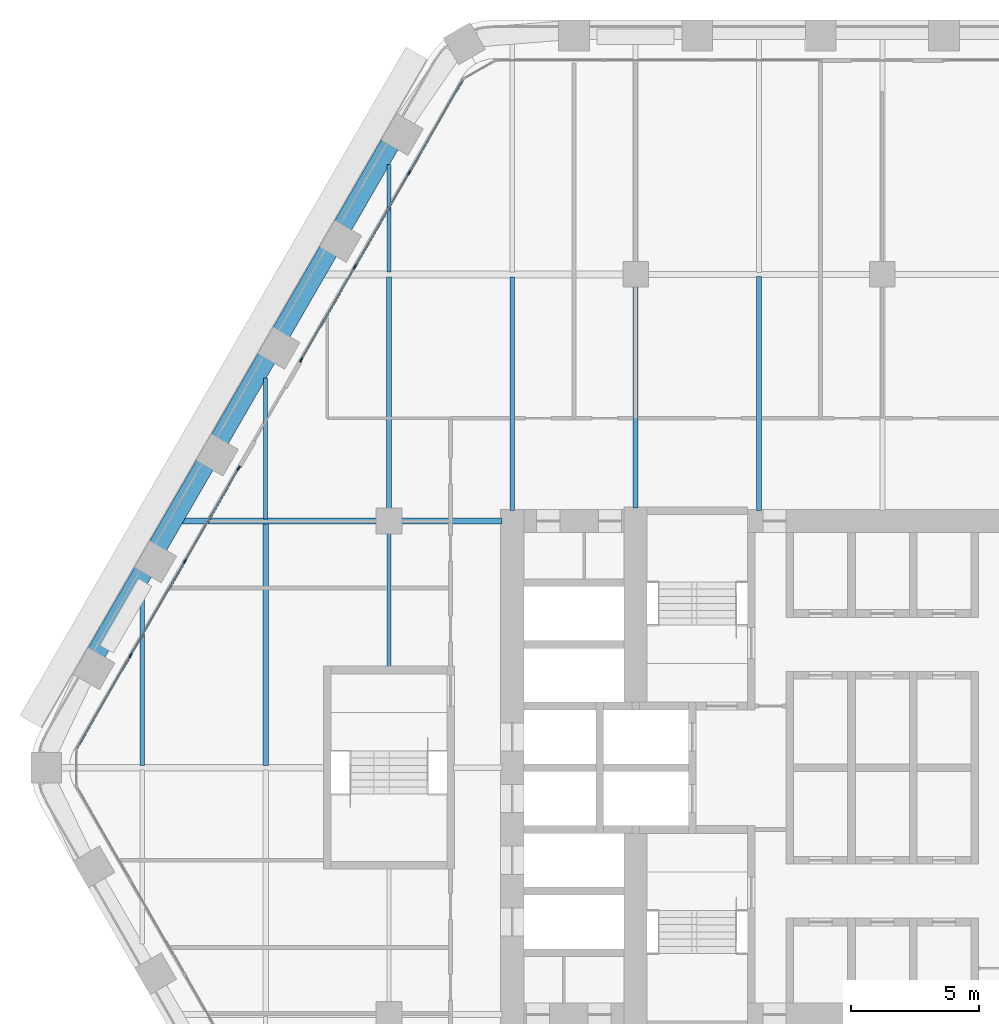
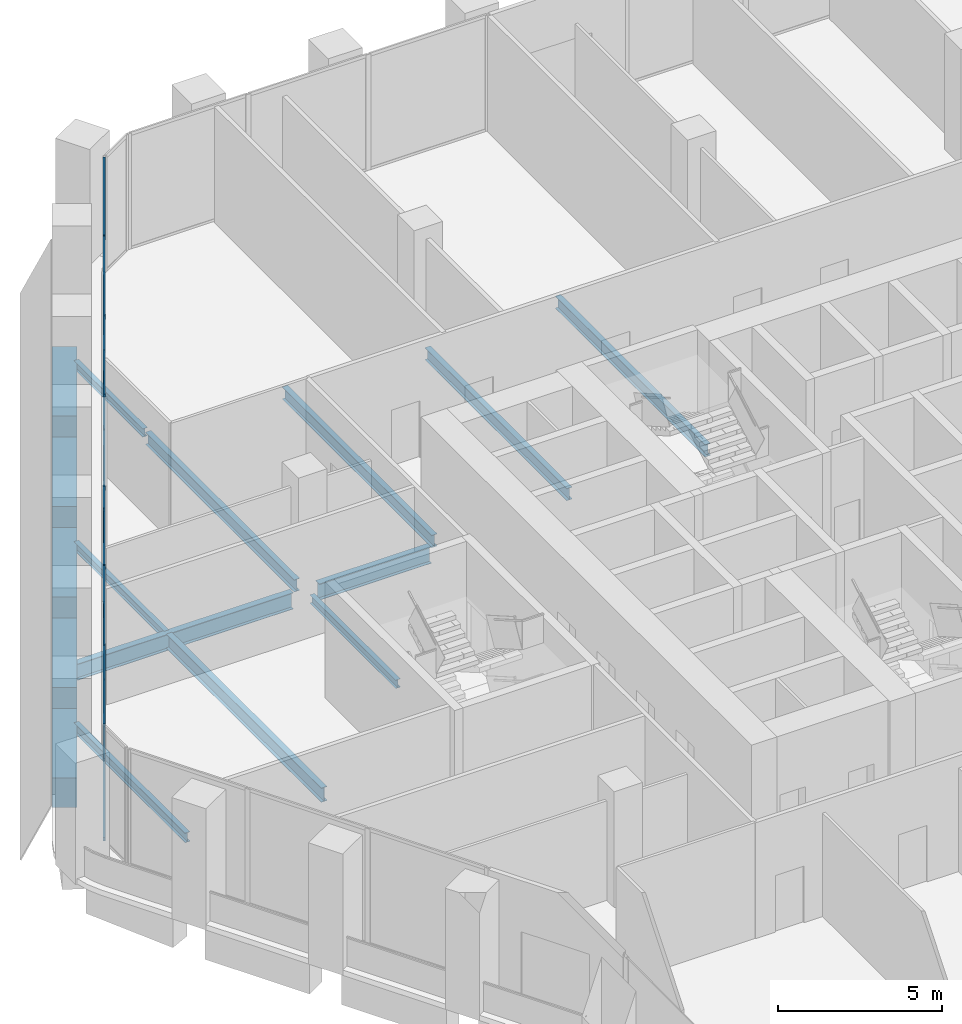
# One storey, part 6 of 23: 18 members, 16 beams, 2 elements without a shape of their own.
"""IFC4 building model written with IfcOpenShell, lengths in metres."""

from ifc_helpers import new_model, si_unit, direction, frame, origin, origin_2d, place, context, subcontext, project, spatial, rectangle, i_section, extrude, material, material_profile, profile_set, type_object, element, aggregate, save


model = new_model("IFC4")

# Units and contexts
model_context = context("Model", 3, precision=1e-05, world=origin(), true_north=direction((0.0, 1.0)))
body_context = subcontext(model_context, "Body", "Model", "MODEL_VIEW")
ifc_project = project(units=[si_unit("LENGTHUNIT", "METRE"), si_unit("AREAUNIT", "SQUARE_METRE"), si_unit("VOLUMEUNIT", "CUBIC_METRE"), si_unit("PLANEANGLEUNIT", "RADIAN"), si_unit("MASSUNIT", "GRAM", prefix="KILO")], contexts=[model_context])

# Site, building, storey
site_placement = place(None, origin())
site = spatial("IfcSite", under=ifc_project, at=site_placement, CompositionType="ELEMENT")
building_placement = place(site_placement, origin())
building = spatial("IfcBuilding", under=site, at=building_placement, Name="Kolab Exchange Tower", CompositionType="ELEMENT")
storey_placement = place(building_placement, frame((0.0, 0.0, 95.89990234375)))
storey = spatial("IfcBuildingStorey", under=building, at=storey_placement, Name="L18", CompositionType="ELEMENT", Elevation=95.89990234375)

# Beams
ifc_material_1 = material(Name="Steel S355", Category="steel")
ifc_material_profile_1 = material_profile(ifc_material_1, i_section(OverallWidth=0.1650390625, OverallDepth=0.31005859375, WebThickness=0.005859375, FlangeThickness=0.009765625, at=origin_2d()), Name="W310X39")
ifc_profile_set_1 = profile_set([ifc_material_profile_1], Name="Steel S355")
beam_type_1 = type_object("IfcBeamType", Name="FLOOR BEAM W310X39", PredefinedType="BEAM", material=ifc_profile_set_1)
beam_1_placement = place(storey_placement, frame((-24.0, 9.674072265625, -0.35498046875), z_axis=(0.0, 1.0, 0.0), x_axis=(-1.0, 0.0, 0.0)))
element("IfcBeam", 1, at=beam_1_placement, inside=storey, type_object=beam_type_1, Name="beam/L18/fr/005", PredefinedType="BEAM", context=body_context, shape_type="SweptSolid", body=[
    extrude(i_section(OverallWidth=0.1650390625, OverallDepth=0.31005859375, WebThickness=0.005859375, FlangeThickness=0.009765625, at=origin_2d()), origin(), (0.0, 0.0, 1.0), 5.49365234375),
])
beam_2_placement = place(storey_placement, frame((-19.199951171875, 3.909912109375, -0.35498046875), z_axis=(0.0, 1.0, 0.0), x_axis=(-1.0, 0.0, 0.0)))
element("IfcBeam", 2, at=beam_2_placement, inside=storey, type_object=beam_type_1, Name="beam/L18/fr/009", PredefinedType="BEAM", context=body_context, shape_type="SweptSolid", body=[
    extrude(i_section(OverallWidth=0.1650390625, OverallDepth=0.31005859375, WebThickness=0.005859375, FlangeThickness=0.009765625, at=origin_2d()), origin(), (0.0, 0.0, 1.0), 5.22998046875),
])
beam_3_placement = place(storey_placement, frame((-19.199951171875, 19.29345703125, -0.35498046875), z_axis=(0.0, 1.0, 0.0), x_axis=(-1.0, 0.0, 0.0)))
element("IfcBeam", 3, at=beam_3_placement, inside=storey, type_object=beam_type_1, Name="beam/L18/fr/011", PredefinedType="BEAM", context=body_context, shape_type="SweptSolid", body=[
    extrude(i_section(OverallWidth=0.1650390625, OverallDepth=0.31005859375, WebThickness=0.005859375, FlangeThickness=0.009765625, at=origin_2d()), origin(), (0.0, 0.0, 1.0), 4.18798828125),
])
ifc_material_profile_2 = material_profile(ifc_material_1, i_section(OverallWidth=0.1708984375, OverallDepth=0.35498046875, WebThickness=0.007080078125, FlangeThickness=0.01171875, at=origin_2d()), Name="W360X51")
ifc_profile_set_2 = profile_set([ifc_material_profile_2], Name="Steel S355")
beam_type_2 = type_object("IfcBeamType", Name="FLOOR BEAM W360X51", PredefinedType="BEAM", material=ifc_profile_set_2)
beam_4_placement = place(storey_placement, frame((-28.800048828125, 0.0869140625, -0.37744140625), z_axis=(0.0, 1.0, 0.0), x_axis=(-1.0, 0.0, 0.0)))
element("IfcBeam", 4, at=beam_4_placement, inside=storey, type_object=beam_type_2, Name="beam/L18/fr/001", PredefinedType="BEAM", context=body_context, shape_type="SweptSolid", body=[
    extrude(i_section(OverallWidth=0.1708984375, OverallDepth=0.35498046875, WebThickness=0.007080078125, FlangeThickness=0.01171875, at=origin_2d()), origin(), (0.0, 0.0, 1.0), 6.766845703125),
])
ifc_material_profile_3 = material_profile(ifc_material_1, i_section(OverallWidth=0.18994140625, OverallDepth=0.45703125, WebThickness=0.009033203125, FlangeThickness=0.014404296875, at=origin_2d()), Name="W460X74")
ifc_profile_set_3 = profile_set([ifc_material_profile_3], Name="Steel S355")
beam_type_3 = type_object("IfcBeamType", Name="FLOOR BEAM W460X74", PredefinedType="BEAM", material=ifc_profile_set_3)
beam_5_placement = place(storey_placement, frame((-19.199951171875, 10.06005859375, -0.428466796875), z_axis=(0.0, 1.0, 0.0), x_axis=(-1.0, 0.0, 0.0)))
element("IfcBeam", 5, at=beam_5_placement, inside=storey, type_object=beam_type_3, Name="beam/L18/fr/010", PredefinedType="BEAM", context=body_context, shape_type="SweptSolid", body=[
    extrude(i_section(OverallWidth=0.18994140625, OverallDepth=0.45703125, WebThickness=0.009033203125, FlangeThickness=0.014404296875, at=origin_2d()), origin(), (0.0, 0.0, 1.0), 9.04638671875),
])
beam_6_placement = place(storey_placement, frame((-14.39990234375, 10.010009765625, -0.428466796875), z_axis=(0.0, 1.0, 0.0), x_axis=(-1.0, 0.0, 0.0)))
element("IfcBeam", 6, at=beam_6_placement, inside=storey, type_object=beam_type_3, Name="beam/L18/fr/014", PredefinedType="BEAM", context=body_context, shape_type="SweptSolid", body=[
    extrude(i_section(OverallWidth=0.18994140625, OverallDepth=0.45703125, WebThickness=0.009033203125, FlangeThickness=0.014404296875, at=origin_2d()), origin(), (0.0, 0.0, 1.0), 9.096435546875),
])
beam_7_placement = place(storey_placement, frame((-9.60009765625, 10.110107421875, -0.428466796875), z_axis=(0.0, 1.0, 0.0), x_axis=(-1.0, 0.0, 0.0)))
element("IfcBeam", 7, at=beam_7_placement, inside=storey, type_object=beam_type_3, Name="beam/L18/fr/018", PredefinedType="BEAM", context=body_context, shape_type="SweptSolid", body=[
    extrude(i_section(OverallWidth=0.18994140625, OverallDepth=0.45703125, WebThickness=0.009033203125, FlangeThickness=0.014404296875, at=origin_2d()), origin(), (0.0, 0.0, 1.0), 8.6298828125),
])
beam_8_placement = place(storey_placement, frame((-4.800048828125, 10.010009765625, -0.428466796875), z_axis=(0.0, 1.0, 0.0), x_axis=(-1.0, 0.0, 0.0)))
element("IfcBeam", 8, at=beam_8_placement, inside=storey, type_object=beam_type_3, Name="beam/L18/fr/022", PredefinedType="BEAM", context=body_context, shape_type="SweptSolid", body=[
    extrude(i_section(OverallWidth=0.18994140625, OverallDepth=0.45703125, WebThickness=0.009033203125, FlangeThickness=0.014404296875, at=origin_2d()), origin(), (0.0, 0.0, 1.0), 9.115966796875),
])
ifc_material_profile_4 = material_profile(ifc_material_1, i_section(OverallWidth=0.208984375, OverallDepth=0.532958984375, WebThickness=0.01025390625, FlangeThickness=0.015625, at=origin_2d()), Name="W530X92")
ifc_profile_set_4 = profile_set([ifc_material_profile_4], Name="Steel S355")
beam_type_4 = type_object("IfcBeamType", Name="FLOOR BEAM W530X92", PredefinedType="BEAM", material=ifc_profile_set_4)
beam_9_placement = place(storey_placement, frame((-24.0, 0.0869140625, -0.46630859375), z_axis=(0.0, 1.0, 0.0), x_axis=(-1.0, 0.0, 0.0)))
element("IfcBeam", 9, at=beam_9_placement, inside=storey, type_object=beam_type_4, Name="beam/L18/fr/004", PredefinedType="BEAM", context=body_context, shape_type="SweptSolid", body=[
    extrude(i_section(OverallWidth=0.208984375, OverallDepth=0.532958984375, WebThickness=0.01025390625, FlangeThickness=0.015625, at=origin_2d()), origin(), (0.0, 0.0, 1.0), 9.43896484375),
])
ifc_material_profile_5 = material_profile(ifc_material_1, i_section(OverallWidth=0.22802734375, OverallDepth=0.60791015625, WebThickness=0.01123046875, FlangeThickness=0.017333984375, at=origin_2d()), Name="W610X113")
ifc_profile_set_5 = profile_set([ifc_material_profile_5], Name="Steel S355")
beam_type_5 = type_object("IfcBeamType", Name="FLOOR GIRDER W610X113", PredefinedType="BEAM", material=ifc_profile_set_5)
beam_10_placement = place(storey_placement, frame((-27.2314453125, 9.60009765625, -0.50390625), z_axis=(1.0, 0.0, 0.0), x_axis=(0.0, 1.0, 0.0)))
element("IfcBeam", 10, at=beam_10_placement, inside=storey, type_object=beam_type_5, Name="beam/L18/gd/002", PredefinedType="BEAM", context=body_context, shape_type="SweptSolid", body=[
    extrude(i_section(OverallWidth=0.22802734375, OverallDepth=0.60791015625, WebThickness=0.01123046875, FlangeThickness=0.017333984375, at=origin_2d()), origin(), (0.0, 0.0, 1.0), 7.571533203125),
])
beam_11_placement = place(storey_placement, frame((-18.739990234375, 9.60009765625, -0.50390625), z_axis=(1.0, 0.0, 0.0), x_axis=(0.0, 1.0, 0.0)))
element("IfcBeam", 11, at=beam_11_placement, inside=storey, type_object=beam_type_5, Name="beam/L18/gd/006", PredefinedType="BEAM", context=body_context, shape_type="SweptSolid", body=[
    extrude(i_section(OverallWidth=0.22802734375, OverallDepth=0.60791015625, WebThickness=0.01123046875, FlangeThickness=0.017333984375, at=origin_2d()), origin(), (0.0, 0.0, 1.0), 3.929931640625),
])
ifc_material_2 = material(Name="Concrete C70/85", Category="concrete")
ifc_material_profile_6 = material_profile(ifc_material_2, rectangle(XDim=0.75, YDim=1.10009765625, at=origin_2d()), Name="RC750X1100")
ifc_profile_set_6 = profile_set([ifc_material_profile_6], Name="Concrete C70/85")
beam_type_6 = type_object("IfcBeamType", Name="SPANDREL BEAM 750X1100 C70/85", PredefinedType="BEAM", material=ifc_profile_set_6)
for number, where, z_axis, x_axis, name in (
    (12, (-30.59521484375, 4.454345703125, -0.75), (0.500013413428, 0.866017659399, 0.0), (-0.866017659399, 0.500013413428, 0.0), "beam/L18/sp/F6-02"),
    (13, (-28.1953125, 8.611328125, -0.75), (0.500013413428, 0.866017659399, 0.0), (-0.866017659399, 0.500013413428, 0.0), "beam/L18/sp/F6-03"),
):
    element("IfcBeam", number, at=place(storey_placement, frame(where, z_axis=z_axis, x_axis=x_axis)), inside=storey, type_object=beam_type_6, Name=name, PredefinedType="BEAM", context=body_context, shape_type="SweptSolid", body=[
        extrude(rectangle(XDim=0.75, YDim=1.10009765625, at=origin_2d()), origin(), (0.0, 0.0, 1.0), 3.68017578125),
    ])
beam_12_placement = place(storey_placement, frame((-25.795166015625, 12.768310546875, -0.75), z_axis=(0.499963655964, 0.866046386007, 0.0), x_axis=(-0.866046386007, 0.499963655964, 0.0)))
element("IfcBeam", 14, at=beam_12_placement, inside=storey, type_object=beam_type_6, Name="beam/L18/sp/F6-04", PredefinedType="BEAM", context=body_context, shape_type="SweptSolid", body=[
    extrude(rectangle(XDim=0.75, YDim=1.10009765625, at=origin_2d()), origin(), (0.0, 0.0, 1.0), 3.679931640625),
])
for number, where, z_axis, x_axis, name in (
    (15, (-23.395263671875, 16.925048828125, -0.75), (0.500013413428, 0.866017659399, 0.0), (-0.866017659399, 0.500013413428, 0.0), "beam/L18/sp/F6-05"),
    (16, (-20.995361328125, 21.08203125, -0.75), (0.500013413428, 0.866017659399, 0.0), (-0.866017659399, 0.500013413428, 0.0), "beam/L18/sp/F6-06"),
):
    element("IfcBeam", number, at=place(storey_placement, frame(where, z_axis=z_axis, x_axis=x_axis)), inside=storey, type_object=beam_type_6, Name=name, PredefinedType="BEAM", context=body_context, shape_type="SweptSolid", body=[
        extrude(rectangle(XDim=0.75, YDim=1.10009765625, at=origin_2d()), origin(), (0.0, 0.0, 1.0), 3.68017578125),
    ])

# Curtain wall, members
ifc_material_3 = material(Name="Aluminium EN AW-6063 T6", Category="aluminium")
curtain_wall_type = type_object("IfcCurtainWallType", Name="UNITISED LOWER MID ZONE CURTAIN WALL", PredefinedType="NOTDEFINED", material=ifc_material_3)
curtain_wall_1_placement = place(storey_placement, origin())
curtain_wall_1 = element("IfcCurtainWall", 17, at=curtain_wall_1_placement, inside=storey, type_object=curtain_wall_type, Name="cw/L18/F6-1", PredefinedType="NOTDEFINED")
ifc_material_profile_7 = material_profile(ifc_material_3, rectangle(XDim=0.06005859375, YDim=0.179931640625, at=origin_2d()), Name="RECT 60X180")
ifc_profile_set_7 = profile_set([ifc_material_profile_7], Name="Aluminium EN AW-6063 T6")
member_type_1 = type_object("IfcMemberType", Name="UNITISED LOWER MID ZONE MULLION 60 X 180", PredefinedType="MULLION", material=ifc_profile_set_7)
member_1_placement = place(storey_placement, frame((-29.25439453125, 4.366943359375, 0.0), z_axis=(0.0, 0.0, 1.0), x_axis=(-0.866025427826, 0.499999958358, 0.0)))
member_1 = element("IfcMember", 18, at=member_1_placement, type_object=member_type_1, Name="CW2 mullion 2", PredefinedType="MULLION", context=body_context, shape_type="SweptSolid", body=[
    extrude(rectangle(XDim=0.06005859375, YDim=0.179931640625, at=origin_2d()), origin(), (0.0, 0.0, 1.0), 4.300048828125),
])
member_2_placement = place(storey_placement, frame((-27.14306640625, 8.02392578125, 0.0), z_axis=(0.0, 0.0, 1.0), x_axis=(-0.866025427826, 0.499999958358, 0.0)))
member_2 = element("IfcMember", 19, at=member_2_placement, type_object=member_type_1, Name="CW2 mullion 3", PredefinedType="MULLION", context=body_context, shape_type="SweptSolid", body=[
    extrude(rectangle(XDim=0.06005859375, YDim=0.179931640625, at=origin_2d()), origin(), (0.0, 0.0, 1.0), 4.300048828125),
])
member_3_placement = place(storey_placement, frame((-25.046630859375, 11.65478515625, 0.0), z_axis=(0.0, 0.0, 1.0), x_axis=(-0.866025427826, 0.499999958358, 0.0)))
member_3 = element("IfcMember", 20, at=member_3_placement, type_object=member_type_1, Name="CW2 mullion 4", PredefinedType="MULLION", context=body_context, shape_type="SweptSolid", body=[
    extrude(rectangle(XDim=0.06005859375, YDim=0.179931640625, at=origin_2d()), origin(), (0.0, 0.0, 1.0), 4.300048828125),
])

curtain_wall_2_placement = place(storey_placement, origin())
curtain_wall_2 = element("IfcCurtainWall", 21, at=curtain_wall_2_placement, inside=storey, type_object=curtain_wall_type, Name="cw/L18/F6-2", PredefinedType="NOTDEFINED")
member_4_placement = place(storey_placement, frame((-22.61669921875, 15.86376953125, 0.0), z_axis=(0.0, 0.0, 1.0), x_axis=(-0.866025393644, 0.500000017564, 0.0)))
member_4 = element("IfcMember", 22, at=member_4_placement, type_object=member_type_1, Name="CW2 mullion 1", PredefinedType="MULLION", context=body_context, shape_type="SweptSolid", body=[
    extrude(rectangle(XDim=0.06005859375, YDim=0.179931640625, at=origin_2d()), origin(), (0.0, 0.0, 1.0), 4.300048828125),
])
member_5_placement = place(storey_placement, frame((-20.520263671875, 19.49462890625, 0.0), z_axis=(0.0, 0.0, 1.0), x_axis=(-0.866025393644, 0.500000017564, 0.0)))
member_5 = element("IfcMember", 23, at=member_5_placement, type_object=member_type_1, Name="CW2 mullion 2", PredefinedType="MULLION", context=body_context, shape_type="SweptSolid", body=[
    extrude(rectangle(XDim=0.06005859375, YDim=0.179931640625, at=origin_2d()), origin(), (0.0, 0.0, 1.0), 4.300048828125),
])
member_6_placement = place(storey_placement, frame((-18.408935546875, 23.151611328125, 0.0), z_axis=(0.0, 0.0, 1.0), x_axis=(-0.866025393644, 0.500000017564, 0.0)))
member_6 = element("IfcMember", 24, at=member_6_placement, type_object=member_type_1, Name="CW2 mullion 3", PredefinedType="MULLION", context=body_context, shape_type="SweptSolid", body=[
    extrude(rectangle(XDim=0.06005859375, YDim=0.179931640625, at=origin_2d()), origin(), (0.0, 0.0, 1.0), 4.300048828125),
])

# Member
ifc_material_profile_8 = material_profile(ifc_material_3, rectangle(XDim=0.06005859375, YDim=0.1201171875, at=origin_2d()), Name="RECT 60X120")
ifc_profile_set_8 = profile_set([ifc_material_profile_8], Name="Aluminium EN AW-6063 T6")
member_type_2 = type_object("IfcMemberType", Name="UNITISED LOWER MID ZONE TRANSOM 60 X 120", PredefinedType="USERDEFINED", material=ifc_profile_set_8)
member_7_placement = place(storey_placement, frame((-31.335693359375, 0.761962890625, 0.030029296875), z_axis=(0.500027577057, 0.866009481578, 0.0), x_axis=(-0.866009481578, 0.500027577057, 0.0)))
member_7 = element("IfcMember", 25, at=member_7_placement, type_object=member_type_2, Name="CW2 transom 1.1", ObjectType="TRANSOM", PredefinedType="USERDEFINED", context=body_context, shape_type="SweptSolid", body=[
    extrude(rectangle(XDim=0.06005859375, YDim=0.1201171875, at=origin_2d()), origin(), (0.0, 0.0, 1.0), 4.132568359375),
])

member_8_placement = place(storey_placement, frame((-31.335693359375, 0.761962890625, 4.27001953125), z_axis=(0.500027577057, 0.866009481578, 0.0), x_axis=(-0.866009481578, 0.500027577057, 0.0)))
member_8 = element("IfcMember", 26, at=member_8_placement, type_object=member_type_2, Name="CW2 transom 1.2", ObjectType="TRANSOM", PredefinedType="USERDEFINED", context=body_context, shape_type="SweptSolid", body=[
    extrude(rectangle(XDim=0.06005859375, YDim=0.1201171875, at=origin_2d()), origin(), (0.0, 0.0, 1.0), 4.132568359375),
])

member_9_placement = place(storey_placement, frame((-29.2392578125, 4.392822265625, 0.030029296875), z_axis=(0.49999322259, 0.866029316688, 0.0), x_axis=(-0.866029316688, 0.49999322259, 0.0)))
member_9 = element("IfcMember", 27, at=member_9_placement, type_object=member_type_2, Name="CW2 transom 2.1", ObjectType="TRANSOM", PredefinedType="USERDEFINED", context=body_context, shape_type="SweptSolid", body=[
    extrude(rectangle(XDim=0.06005859375, YDim=0.1201171875, at=origin_2d()), origin(), (0.0, 0.0, 1.0), 4.16259765625),
])

member_10_placement = place(storey_placement, frame((-29.2392578125, 4.392822265625, 4.27001953125), z_axis=(0.49999322259, 0.866029316688, 0.0), x_axis=(-0.866029316688, 0.49999322259, 0.0)))
member_10 = element("IfcMember", 28, at=member_10_placement, type_object=member_type_2, Name="CW2 transom 2.2", ObjectType="TRANSOM", PredefinedType="USERDEFINED", context=body_context, shape_type="SweptSolid", body=[
    extrude(rectangle(XDim=0.06005859375, YDim=0.1201171875, at=origin_2d()), origin(), (0.0, 0.0, 1.0), 4.16259765625),
])

member_11_placement = place(storey_placement, frame((-27.1279296875, 8.0498046875, 0.030029296875), z_axis=(0.499957688808, 0.866049830784, 0.0), x_axis=(-0.866049830784, 0.499957688808, 0.0)))
member_11 = element("IfcMember", 29, at=member_11_placement, type_object=member_type_2, Name="CW2 transom 3.1", ObjectType="TRANSOM", PredefinedType="USERDEFINED", context=body_context, shape_type="SweptSolid", body=[
    extrude(rectangle(XDim=0.06005859375, YDim=0.1201171875, at=origin_2d()), origin(), (0.0, 0.0, 1.0), 4.132568359375),
])

member_12_placement = place(storey_placement, frame((-27.1279296875, 8.0498046875, 4.27001953125), z_axis=(0.499957688808, 0.866049830784, 0.0), x_axis=(-0.866049830784, 0.499957688808, 0.0)))
member_12 = element("IfcMember", 30, at=member_12_placement, type_object=member_type_2, Name="CW2 transom 3.2", ObjectType="TRANSOM", PredefinedType="USERDEFINED", context=body_context, shape_type="SweptSolid", body=[
    extrude(rectangle(XDim=0.06005859375, YDim=0.1201171875, at=origin_2d()), origin(), (0.0, 0.0, 1.0), 4.132568359375),
])

aggregate(curtain_wall_1, [member_1, member_2, member_3, member_7, member_8, member_9, member_10, member_11, member_12])

member_13_placement = place(storey_placement, frame((-22.6015625, 15.8896484375, 0.030029296875), z_axis=(0.499957688808, 0.866049830784, 0.0), x_axis=(-0.866049830784, 0.499957688808, 0.0)))
member_13 = element("IfcMember", 31, at=member_13_placement, type_object=member_type_2, Name="CW2 transom 1.1", ObjectType="TRANSOM", PredefinedType="USERDEFINED", context=body_context, shape_type="SweptSolid", body=[
    extrude(rectangle(XDim=0.06005859375, YDim=0.1201171875, at=origin_2d()), origin(), (0.0, 0.0, 1.0), 4.132568359375),
])

member_14_placement = place(storey_placement, frame((-22.6015625, 15.8896484375, 4.27001953125), z_axis=(0.499957688808, 0.866049830784, 0.0), x_axis=(-0.866049830784, 0.499957688808, 0.0)))
member_14 = element("IfcMember", 32, at=member_14_placement, type_object=member_type_2, Name="CW2 transom 1.2", ObjectType="TRANSOM", PredefinedType="USERDEFINED", context=body_context, shape_type="SweptSolid", body=[
    extrude(rectangle(XDim=0.06005859375, YDim=0.1201171875, at=origin_2d()), origin(), (0.0, 0.0, 1.0), 4.132568359375),
])

member_15_placement = place(storey_placement, frame((-20.50537109375, 19.5205078125, 0.030029296875), z_axis=(0.49999322259, 0.866029316688, 0.0), x_axis=(-0.866029316688, 0.49999322259, 0.0)))
member_15 = element("IfcMember", 33, at=member_15_placement, type_object=member_type_2, Name="CW2 transom 2.1", ObjectType="TRANSOM", PredefinedType="USERDEFINED", context=body_context, shape_type="SweptSolid", body=[
    extrude(rectangle(XDim=0.06005859375, YDim=0.1201171875, at=origin_2d()), origin(), (0.0, 0.0, 1.0), 4.16259765625),
])

member_16_placement = place(storey_placement, frame((-20.50537109375, 19.5205078125, 4.27001953125), z_axis=(0.49999322259, 0.866029316688, 0.0), x_axis=(-0.866029316688, 0.49999322259, 0.0)))
member_16 = element("IfcMember", 34, at=member_16_placement, type_object=member_type_2, Name="CW2 transom 2.2", ObjectType="TRANSOM", PredefinedType="USERDEFINED", context=body_context, shape_type="SweptSolid", body=[
    extrude(rectangle(XDim=0.06005859375, YDim=0.1201171875, at=origin_2d()), origin(), (0.0, 0.0, 1.0), 4.16259765625),
])

member_17_placement = place(storey_placement, frame((-18.39404296875, 23.177490234375, 0.030029296875), z_axis=(0.500001996123, 0.866024251319, 0.0), x_axis=(-0.866024251319, 0.500001996123, 0.0)))
member_17 = element("IfcMember", 35, at=member_17_placement, type_object=member_type_2, Name="CW2 transom 3.1", ObjectType="TRANSOM", PredefinedType="USERDEFINED", context=body_context, shape_type="SweptSolid", body=[
    extrude(rectangle(XDim=0.06005859375, YDim=0.1201171875, at=origin_2d()), origin(), (0.0, 0.0, 1.0), 4.1328125),
])

member_18_placement = place(storey_placement, frame((-18.39404296875, 23.177490234375, 4.27001953125), z_axis=(0.500001996123, 0.866024251319, 0.0), x_axis=(-0.866024251319, 0.500001996123, 0.0)))
member_18 = element("IfcMember", 36, at=member_18_placement, type_object=member_type_2, Name="CW2 transom 3.2", ObjectType="TRANSOM", PredefinedType="USERDEFINED", context=body_context, shape_type="SweptSolid", body=[
    extrude(rectangle(XDim=0.06005859375, YDim=0.1201171875, at=origin_2d()), origin(), (0.0, 0.0, 1.0), 4.1328125),
])

aggregate(curtain_wall_2, [member_4, member_5, member_6, member_13, member_14, member_15, member_16, member_17, member_18])

save(model, "model.ifc")
